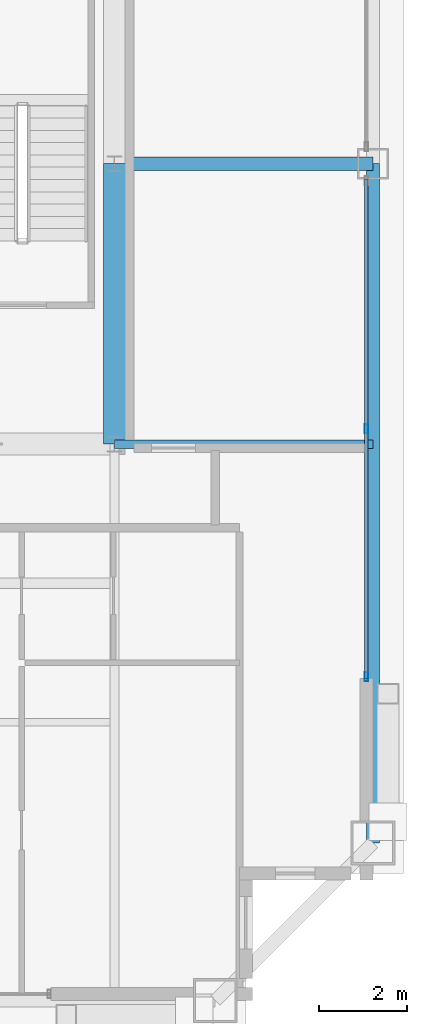
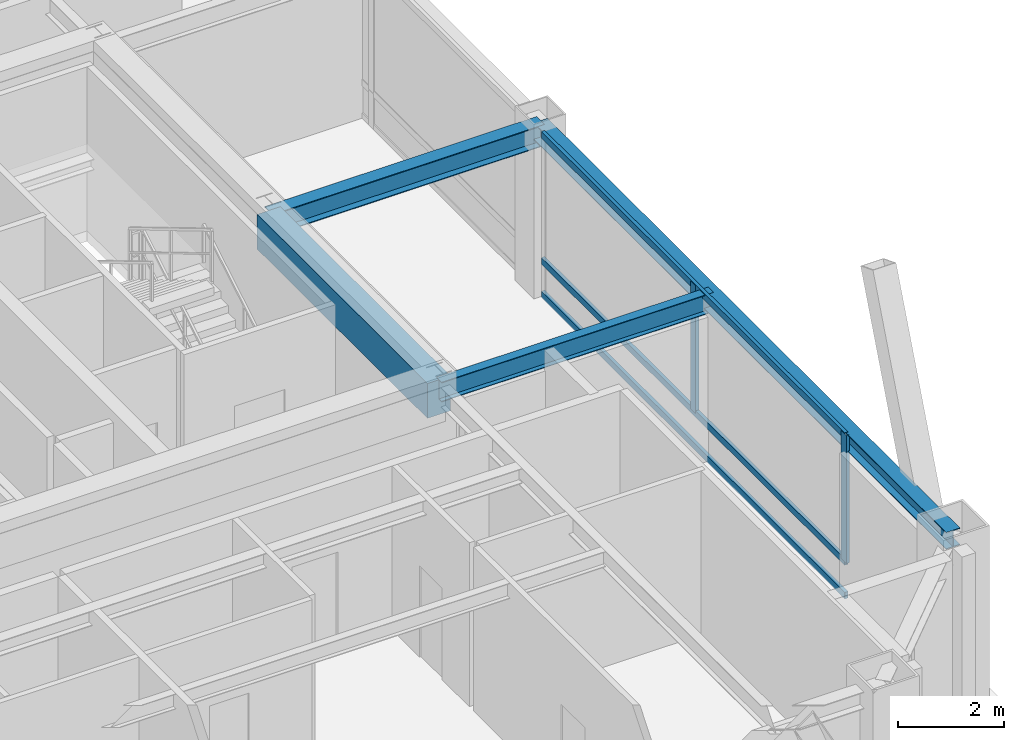
# One storey, part 13 of 35: 5 members, 4 beams, 1 element without a shape of its own.
"""IFC4 building model written with IfcOpenShell, lengths in metres."""

from ifc_helpers import new_model, si_unit, direction, frame, origin, origin_2d, place, context, subcontext, project, spatial, rectangle, hollow_rectangle, i_section, extrude, source, transform, mapped, material, layer, layer_set, material_profile, profile_set, type_object, element, aggregate, save


model = new_model("IFC4")

# Units and contexts
model_context = context("Model", 3, precision=1e-05, world=origin(), true_north=direction((0.0, 1.0)))
body_context = subcontext(model_context, "Body", "Model", "MODEL_VIEW")
ifc_project = project(units=[si_unit("LENGTHUNIT", "METRE"), si_unit("AREAUNIT", "SQUARE_METRE"), si_unit("VOLUMEUNIT", "CUBIC_METRE"), si_unit("PLANEANGLEUNIT", "RADIAN"), si_unit("MASSUNIT", "GRAM", prefix="KILO"), si_unit("THERMODYNAMICTEMPERATUREUNIT", "KELVIN"), si_unit("POWERUNIT", "WATT")], contexts=[model_context])

# Site, building, storey
site_placement = place(None, origin())
site = spatial("IfcSite", under=ifc_project, at=site_placement, CompositionType="ELEMENT")
building_placement = place(site_placement, origin())
building = spatial("IfcBuilding", under=site, at=building_placement, Name="Yuzanri Waterfront Tower", CompositionType="ELEMENT")
storey_placement = place(building_placement, frame((0.0, 0.0, 343.199951171875)))
storey = spatial("IfcBuildingStorey", under=building, at=storey_placement, Name="L92", CompositionType="ELEMENT", Elevation=343.199951171875)

# Beams
ifc_material_1 = material(Name="Concrete C50", Category="concrete")
ifc_material_profile_1 = material_profile(ifc_material_1, rectangle(XDim=0.5, YDim=0.800048828125, at=origin_2d()), Name="RC 500x800")
ifc_profile_set_1 = profile_set([ifc_material_profile_1], Name="Concrete C50")
beam_type_1 = type_object("IfcBeamType", Name="Core Coupling Lintel Concrete C50 500x800", PredefinedType="LINTEL", material=ifc_profile_set_1)
shared_shape_1 = source(origin(), body_context, "Body", "SweptSolid", [
    extrude(rectangle(XDim=0.5, YDim=0.800048828125, at=origin_2d()), origin(), (0.0, 0.0, 1.0), 6.400146484375),
])
beam_1_placement = place(storey_placement, frame((50.199951171875, 19.39990234375, 3.360107421875), z_axis=(0.0, 1.0, 0.0), x_axis=(-1.0, 0.0, 0.0)))
element("IfcBeam", 1, at=beam_1_placement, inside=storey, type_object=beam_type_1, Name="L92 Core Tie Beam CE1", PredefinedType="LINTEL", context=body_context, shape_type="MappedRepresentation", body=[
    mapped(shared_shape_1, transform((0.0, 0.0, 0.0), scale=1.0)),
])
ifc_material_2 = material(Name="Steel Q355B", Category="steel")
ifc_material_profile_2 = material_profile(ifc_material_2, i_section(OverallWidth=0.300048828125, OverallDepth=0.389892578125, WebThickness=0.010009765625, FlangeThickness=0.01611328125, at=origin_2d()), Name="HM 390x300x10x16")
ifc_profile_set_2 = profile_set([ifc_material_profile_2], Name="Steel Q355B")
beam_type_2 = type_object("IfcBeamType", Name="Perimeter Spandrel Q355B HM 390x300", PredefinedType="SPANDREL", material=ifc_profile_set_2)
shared_shape_2 = source(origin(), body_context, "Body", "SweptSolid", [
    extrude(i_section(OverallWidth=0.300048828125, OverallDepth=0.389892578125, WebThickness=0.010009765625, FlangeThickness=0.01611328125, at=origin_2d()), origin(), (0.0, 0.0, 1.0), 15.5),
])
beam_2_placement = place(storey_placement, frame((56.10009765625, 10.300048828125, 3.56494140625), z_axis=(0.0, 1.0, 0.0), x_axis=(-1.0, 0.0, 0.0)))
element("IfcBeam", 2, at=beam_2_placement, inside=storey, type_object=beam_type_2, Name="L92 Perimeter Spandrel E1-E2", PredefinedType="SPANDREL", context=body_context, shape_type="MappedRepresentation", body=[
    mapped(shared_shape_2, transform((0.0, 0.0, 0.0), scale=1.0)),
])
ifc_material_3 = material(Name="Steel Q355B", Category="steel")
ifc_material_profile_3 = material_profile(ifc_material_3, i_section(OverallWidth=0.300048828125, OverallDepth=0.488037109375, WebThickness=0.010986328125, FlangeThickness=0.01806640625, at=origin_2d()), Name="HM 488x300x11x18")
ifc_profile_set_3 = profile_set([ifc_material_profile_3], Name="Steel Q355B")
beam_type_3 = type_object("IfcBeamType", Name="Primary Floor Girder Q355B HM 488x300", PredefinedType="BEAM", material=ifc_profile_set_3)
shared_shape_3 = source(origin(), body_context, "Body", "SweptSolid", [
    extrude(i_section(OverallWidth=0.300048828125, OverallDepth=0.488037109375, WebThickness=0.010986328125, FlangeThickness=0.01806640625, at=origin_2d()), origin(), (0.0, 0.0, 1.0), 5.900146484375),
])
beam_3_placement = place(storey_placement, frame((50.199951171875, 25.800048828125, 3.51611328125), z_axis=(1.0, 0.0, 0.0), x_axis=(0.0, 1.0, 0.0)))
element("IfcBeam", 3, at=beam_3_placement, inside=storey, type_object=beam_type_3, Name="L92 East Grid Girder", PredefinedType="BEAM", context=body_context, shape_type="MappedRepresentation", body=[
    mapped(shared_shape_3, transform((0.0, 0.0, 0.0), scale=1.0)),
])
ifc_material_4 = material(Name="Steel Q355B", Category="steel")
ifc_material_profile_4 = material_profile(ifc_material_4, i_section(OverallWidth=0.199951171875, OverallDepth=0.449951171875, WebThickness=0.009033203125, FlangeThickness=0.013916015625, at=origin_2d()), Name="HN 450x200x9x14")
ifc_profile_set_4 = profile_set([ifc_material_profile_4], Name="Steel Q355B")
beam_type_4 = type_object("IfcBeamType", Name="Secondary Floor Beam Q355B HN 450x200", PredefinedType="BEAM", material=ifc_profile_set_4)
shared_shape_4 = source(origin(), body_context, "Body", "SweptSolid", [
    extrude(i_section(OverallWidth=0.199951171875, OverallDepth=0.449951171875, WebThickness=0.009033203125, FlangeThickness=0.013916015625, at=origin_2d()), origin(), (0.0, 0.0, 1.0), 5.900146484375),
])
beam_4_placement = place(storey_placement, frame((50.199951171875, 19.39990234375, 3.53515625), z_axis=(1.0, 0.0, 0.0), x_axis=(0.0, 1.0, 0.0)))
element("IfcBeam", 4, at=beam_4_placement, inside=storey, type_object=beam_type_4, Name="L92 East-South Core Line Beam", PredefinedType="BEAM", context=body_context, shape_type="MappedRepresentation", body=[
    mapped(shared_shape_4, transform((0.0, 0.0, 0.0), scale=1.0)),
])

# Curtain wall, members
ifc_material_5 = material(Name="Anodized Architectural Bronze", Category="metal")
ifc_layer = layer(ifc_material_5, 0.159912109375)
ifc_layer_set = layer_set([ifc_layer], Name="Anodized Architectural Bronze")
curtain_wall_type = type_object("IfcCurtainWallType", Name="Anodized Bronze High-Rise Penthouse High-Wind Unitized Curtain Wall 6900", PredefinedType="NOTDEFINED", material=ifc_layer_set)
curtain_wall_placement = place(storey_placement, origin())
curtain_wall = element("IfcCurtainWall", 5, at=curtain_wall_placement, inside=storey, type_object=curtain_wall_type, Name="L92 Curtain Wall CW-L92-EL", PredefinedType="NOTDEFINED")
ifc_material_6 = material(Name="Anodized Architectural Bronze", Category="metal")
ifc_material_profile_5 = material_profile(ifc_material_6, hollow_rectangle(XDim=0.074951171875, YDim=0.14990234375, WallThickness=0.00390625, at=origin_2d()), Name="CWT 75x150")
ifc_profile_set_5 = profile_set([ifc_material_profile_5], Name="Anodized Architectural Bronze")
member_type_1 = type_object("IfcMemberType", Name="Anodized Bronze Primary Curtain-Wall Transom 75x150", PredefinedType="USERDEFINED", material=ifc_profile_set_5)
shared_shape_5 = source(origin(), body_context, "Body", "SweptSolid", [
    extrude(hollow_rectangle(XDim=0.074951171875, YDim=0.14990234375, WallThickness=0.00390625, at=origin_2d()), origin(), (0.0, 0.0, 1.0), 11.39990234375),
])
member_1_placement = place(storey_placement, frame((55.949951171875, 14.050048828125, 0.050048828125), z_axis=(0.0, 1.0, 0.0), x_axis=(-1.0, 0.0, 0.0)))
member_1 = element("IfcMember", 6, at=member_1_placement, type_object=member_type_1, Name="CW-L92-EL Transom 1", ObjectType="TRANSOM", PredefinedType="USERDEFINED", context=body_context, shape_type="MappedRepresentation", body=[
    mapped(shared_shape_5, transform((0.0, 0.0, 0.0), scale=1.0)),
])
member_2_placement = place(storey_placement, frame((55.949951171875, 14.050048828125, 0.820068359375), z_axis=(0.0, 1.0, 0.0), x_axis=(-1.0, 0.0, 0.0)))
member_2 = element("IfcMember", 7, at=member_2_placement, type_object=member_type_1, Name="CW-L92-EL Transom 2", ObjectType="TRANSOM", PredefinedType="USERDEFINED", context=body_context, shape_type="MappedRepresentation", body=[
    mapped(shared_shape_5, transform((0.0, 0.0, 0.0), scale=1.0)),
])
member_3_placement = place(storey_placement, frame((55.949951171875, 14.050048828125, 3.7099609375), z_axis=(0.0, 1.0, 0.0), x_axis=(-1.0, 0.0, 0.0)))
member_3 = element("IfcMember", 8, at=member_3_placement, type_object=member_type_1, Name="CW-L92-EL Transom 3", ObjectType="TRANSOM", PredefinedType="USERDEFINED", context=body_context, shape_type="MappedRepresentation", body=[
    mapped(shared_shape_5, transform((0.0, 0.0, 0.0), scale=1.0)),
])
ifc_material_7 = material(Name="Anodized Architectural Bronze", Category="metal")
ifc_material_profile_6 = material_profile(ifc_material_7, hollow_rectangle(XDim=0.074951171875, YDim=0.199951171875, WallThickness=0.00390625, at=origin_2d()), Name="CWM 75x200")
ifc_profile_set_6 = profile_set([ifc_material_profile_6], Name="Anodized Architectural Bronze")
member_type_2 = type_object("IfcMemberType", Name="Anodized Bronze Primary Curtain-Wall Mullion 75x200", PredefinedType="MULLION", material=ifc_profile_set_6)
shared_shape_6 = source(origin(), body_context, "Body", "SweptSolid", [
    extrude(hollow_rectangle(XDim=0.074951171875, YDim=0.199951171875, WallThickness=0.00390625, at=origin_2d()), origin(), (0.0, 0.0, 1.0), 2.93798828125),
])
member_4_placement = place(storey_placement, frame((55.949951171875, 14.090087890625, 0.822021484375), z_axis=(0.0, 0.0, 1.0), x_axis=(1.0, 0.0, 0.0)))
member_4 = element("IfcMember", 9, at=member_4_placement, type_object=member_type_2, Name="CW-L92-EL Upper Mullion 00", PredefinedType="MULLION", context=body_context, shape_type="MappedRepresentation", body=[
    mapped(shared_shape_6, transform((0.0, 0.0, 0.0), scale=1.0)),
])
member_5_placement = place(storey_placement, frame((55.949951171875, 19.75, 0.822021484375), z_axis=(0.0, 0.0, 1.0), x_axis=(1.0, 0.0, 0.0)))
member_5 = element("IfcMember", 10, at=member_5_placement, type_object=member_type_2, Name="CW-L92-EL Upper Mullion 01", PredefinedType="MULLION", context=body_context, shape_type="MappedRepresentation", body=[
    mapped(shared_shape_6, transform((0.0, 0.0, 0.0), scale=1.0)),
])
aggregate(curtain_wall, [member_4, member_5, member_1, member_2, member_3])

save(model, "model.ifc")
